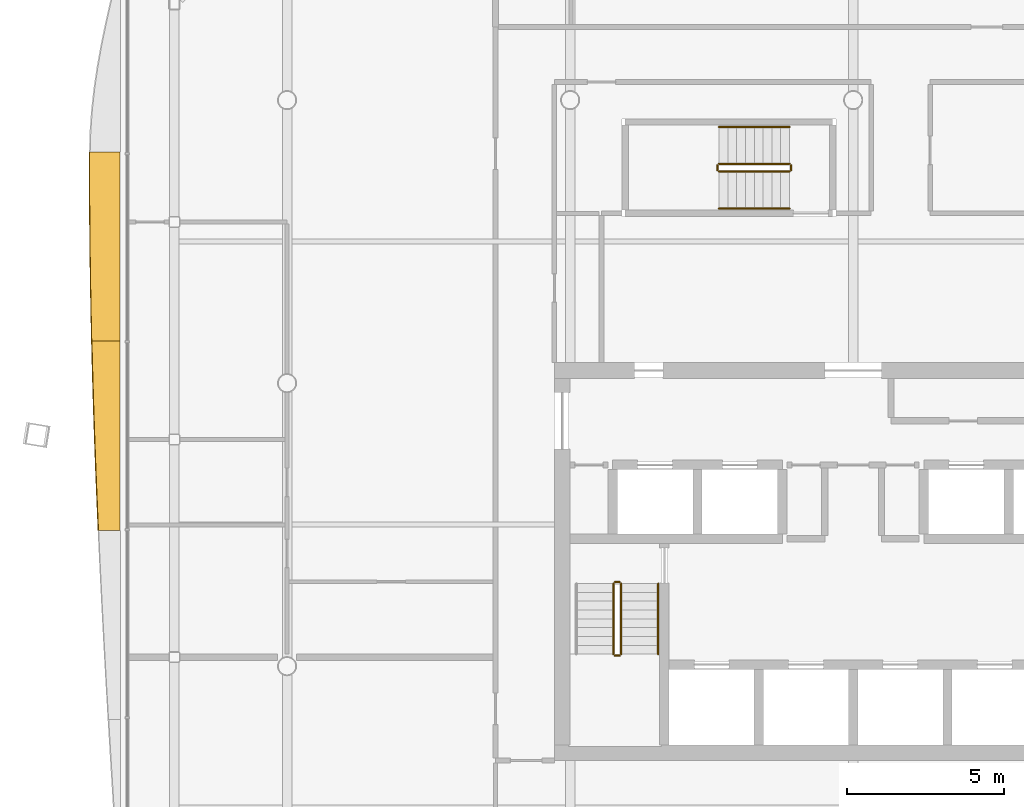
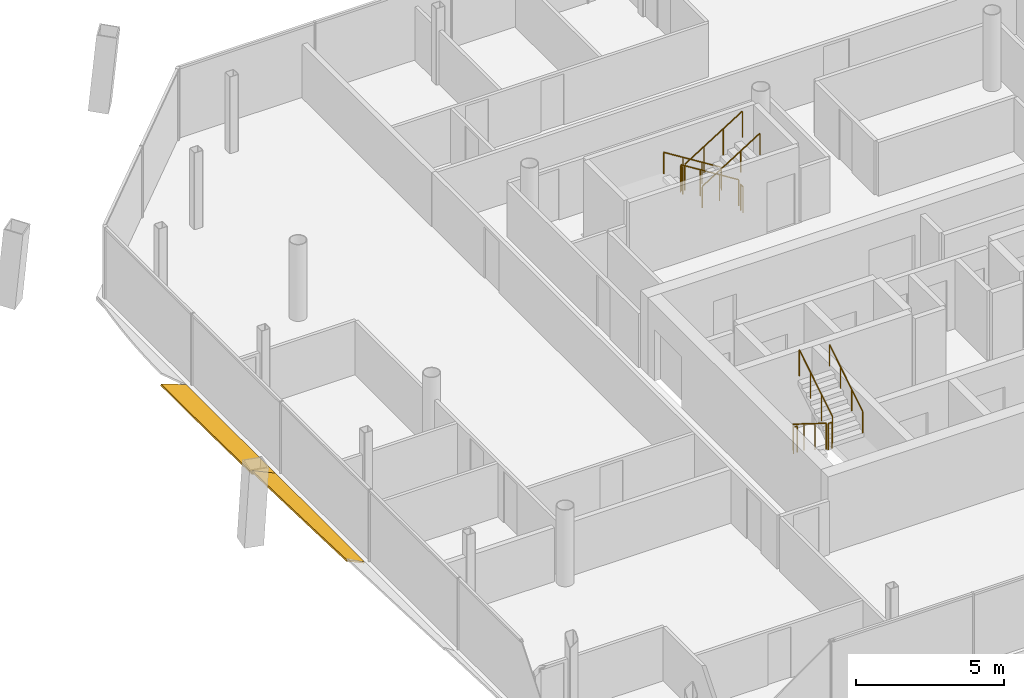
# One storey, part 18 of 20: 11 railings, 2 shading devices.
"""IFC4 building model written with IfcOpenShell, lengths in metres."""

from ifc_helpers import new_model, si_unit, direction, frame, origin, origin_2d, place, context, subcontext, project, spatial, polyline, circle, outline, extrude, material, layer, layer_set, type_object, element, save


model = new_model("IFC4")

# Units and contexts
model_context = context("Model", 3, precision=1e-05, world=origin(), true_north=direction((0.0, 1.0)))
body_context = subcontext(model_context, "Body", "Model", "MODEL_VIEW")
ifc_project = project(units=[si_unit("LENGTHUNIT", "METRE"), si_unit("AREAUNIT", "SQUARE_METRE"), si_unit("VOLUMEUNIT", "CUBIC_METRE"), si_unit("PLANEANGLEUNIT", "RADIAN"), si_unit("MASSUNIT", "GRAM", prefix="KILO")], contexts=[model_context])

# Site, building, storey
site_placement = place(None, origin())
site = spatial("IfcSite", under=ifc_project, at=site_placement, CompositionType="ELEMENT")
building_placement = place(site_placement, origin())
building = spatial("IfcBuilding", under=site, at=building_placement, Name="Tskaro Facet Tower", CompositionType="ELEMENT")
storey_placement = place(building_placement, frame((0.0, 0.0, 194.25)))
storey = spatial("IfcBuildingStorey", under=building, at=storey_placement, Name="L49", CompositionType="ELEMENT", Elevation=194.25)

# Shading devices
ifc_material_1 = material(Name="Bronze anodised aluminium 6063-T6", Category="aluminium")
ifc_layer = layer(ifc_material_1, 0.06005859375, Name="Bronze anodised aluminium 6063-T6")
ifc_layer_set = layer_set([ifc_layer], Name="Bronze anodised aluminium 6063-T6")
shading_device_type = type_object("IfcShadingDeviceType", Name="Bronze sun blade (FN1)", PredefinedType="USERDEFINED", material=ifc_layer_set)
shading_device_1_placement = place(storey_placement, frame((-23.3095703125, 7.354736328125, 0.056396484375), z_axis=(0.34205467251, -4.464e-06, 0.939680052462), x_axis=(-1.526932e-06, -0.99999999999, -4.194732e-06)))
element("IfcShadingDevice", 1, at=shading_device_1_placement, inside=storey, type_object=shading_device_type, Name="Fin blade west 2", ObjectType="FIN", PredefinedType="USERDEFINED", context=body_context, shape_type="SweptSolid", body=[
    extrude(outline(polyline([(0.0, 0.0), (6.019042968690028, 0.0), (6.019042968988683, -0.9566052769447957), (5.350341796678685, -0.9727496667692598), (4.68164062445871, -0.9868082156666469), (4.012695312449336, -0.9992397517875776), (3.343994140782196, -1.0093560329061209), (2.6750488283015508, -1.0179288106897395), (2.006347656163141, -1.0241863334709704), (1.3376464844875413, -1.028587429400435), (0.6687011716256502, -1.031215607919664), (0.18041992237608764, -1.0316744360702848), (3.5845063138585e-11, -1.0306732703275119), (0.0, 0.0)])), origin(), (0.0, 0.0, -1.0), 0.06005859375),
])
shading_device_2_placement = place(storey_placement, frame((-23.3046875, 1.335693359375, 0.054443359375), z_axis=(0.422585204806, -7.734704e-06, 0.906323200972), x_axis=(-3.268572e-06, -0.99999999997, -7.010142e-06)))
element("IfcShadingDevice", 2, at=shading_device_2_placement, inside=storey, type_object=shading_device_type, Name="Fin blade west 3", ObjectType="FIN", PredefinedType="USERDEFINED", context=body_context, shape_type="SweptSolid", body=[
    extrude(outline(polyline([(0.0, 0.0), (6.019287109194946, 0.0), (6.019287109526442, -0.760963807999818), (5.350585937588594, -0.7932937776262043), (4.6816406253721885, -0.8239866147280674), (4.01293945241575, -0.8531454895214272), (3.343994140892212, -0.8805640615742435), (2.6752929686286415, -0.9064486713185566), (2.006591796711506, -0.9306961485383464), (1.337646484631291, -0.952760782392105), (0.6689453118110424, -0.9732914539373604), (-3.742946775549506e-10, -0.9918605524293285), (0.0, 0.0)])), origin(), (0.0, 0.0, -1.0), 0.06005859375),
])

# Railings
ifc_material_2 = material(Name="Stainless steel", Category="steel")
railing_type_1 = type_object("IfcRailingType", Name="RL-GUARD-1100", PredefinedType="GUARDRAIL", material=ifc_material_2)
railing_1_placement = place(storey_placement, frame((-7.625, -6.375, 0.175048828125)))
element("IfcRailing", 3, at=railing_1_placement, inside=storey, type_object=railing_type_1, Name="L49 ST-1 stair guard 1", PredefinedType="GUARDRAIL", context=body_context, shape_type="SweptSolid", body=[
    extrude(circle(Radius=0.02392578125, at=origin_2d()), frame((0.0, 0.0, 1.076171875), z_axis=(0.0, -0.848013881152, 0.529974015752), x_axis=(1.0, 0.0, 0.0)), (0.0, 0.0, 1.0), 2.641357421875),
    extrude(circle(Radius=0.02099609375, at=origin_2d()), origin(), (0.0, 0.0, 1.0), 1.052001953125),
    extrude(circle(Radius=0.02099609375, at=origin_2d()), frame((0.0, -0.74658203125, 0.466552734375)), (0.0, 0.0, 1.0), 1.052001953125),
    extrude(circle(Radius=0.02099609375, at=origin_2d()), frame((0.0, -1.493408203125, 0.933349609375)), (0.0, 0.0, 1.0), 1.052001953125),
    extrude(circle(Radius=0.02099609375, at=origin_2d()), frame((0.0, -2.239990234375, 1.39990234375)), (0.0, 0.0, 1.0), 1.052001953125),
])
railing_2_placement = place(storey_placement, frame((-7.574951171875, -8.6650390625, 1.574951171875)))
element("IfcRailing", 4, at=railing_2_placement, inside=storey, type_object=railing_type_1, Name="L49 ST-1 stair guard 2", PredefinedType="GUARDRAIL", context=body_context, shape_type="SweptSolid", body=[
    extrude(circle(Radius=0.02392578125, at=origin_2d()), frame((0.0, 0.0, 1.076171875), z_axis=(1.0, 0.0, 0.0), x_axis=(0.0, 1.0, 0.0)), (0.0, 0.0, 1.0), 0.14990234375),
    extrude(circle(Radius=0.02099609375, at=origin_2d()), origin(), (0.0, 0.0, 1.0), 1.052001953125),
    extrude(circle(Radius=0.02099609375, at=origin_2d()), frame((0.14990234375, 0.0, 0.0)), (0.0, 0.0, 1.0), 1.052001953125),
])
railing_3_placement = place(storey_placement, frame((-7.375, -8.614990234375, 1.75)))
element("IfcRailing", 5, at=railing_3_placement, inside=storey, type_object=railing_type_1, Name="L49 ST-1 stair guard 3", PredefinedType="GUARDRAIL", context=body_context, shape_type="SweptSolid", body=[
    extrude(circle(Radius=0.02392578125, at=origin_2d()), frame((0.0, 0.0, 1.076171875), z_axis=(0.0, 0.848013881152, 0.529974015752), x_axis=(-1.0, 0.0, 0.0)), (0.0, 0.0, 1.0), 2.641357421875),
    extrude(circle(Radius=0.02099609375, at=origin_2d()), origin(), (0.0, 0.0, 1.0), 1.052001953125),
    extrude(circle(Radius=0.02099609375, at=origin_2d()), frame((0.0, 0.74658203125, 0.466552734375)), (0.0, 0.0, 1.0), 1.052001953125),
    extrude(circle(Radius=0.02099609375, at=origin_2d()), frame((0.0, 1.493408203125, 0.933349609375)), (0.0, 0.0, 1.0), 1.052001953125),
    extrude(circle(Radius=0.02099609375, at=origin_2d()), frame((0.0, 2.239990234375, 1.39990234375)), (0.0, 0.0, 1.0), 1.052001953125),
])
railing_4_placement = place(storey_placement, frame((-7.574951171875, -6.324951171875, 0.0)))
element("IfcRailing", 6, at=railing_4_placement, inside=storey, type_object=railing_type_1, Name="L49 ST-1 stair guard 4", PredefinedType="GUARDRAIL", context=body_context, shape_type="SweptSolid", body=[
    extrude(circle(Radius=0.02392578125, at=origin_2d()), frame((0.0, 0.0, 1.076171875), z_axis=(1.0, 0.0, 0.0), x_axis=(0.0, 1.0, 0.0)), (0.0, 0.0, 1.0), 0.14990234375),
    extrude(circle(Radius=0.02099609375, at=origin_2d()), origin(), (0.0, 0.0, 1.0), 1.052001953125),
    extrude(circle(Radius=0.02099609375, at=origin_2d()), frame((0.14990234375, 0.0, 0.0)), (0.0, 0.0, 1.0), 1.052001953125),
])
railing_5_placement = place(storey_placement, frame((-2.02490234375, 6.97509765625, 0.175048828125)))
element("IfcRailing", 7, at=railing_5_placement, inside=storey, type_object=railing_type_1, Name="L49 ST-3 stair guard 1", PredefinedType="GUARDRAIL", context=body_context, shape_type="SweptSolid", body=[
    extrude(circle(Radius=0.02392578125, at=origin_2d()), frame((0.0, 0.0, 1.076171875), z_axis=(-0.848013881152, 0.0, 0.529974015752), x_axis=(0.0, -1.0, 0.0)), (0.0, 0.0, 1.0), 2.641357421875),
    extrude(circle(Radius=0.02099609375, at=origin_2d()), origin(), (0.0, 0.0, 1.0), 1.052001953125),
    extrude(circle(Radius=0.02099609375, at=origin_2d()), frame((-0.74658203125, 0.0, 0.466552734375)), (0.0, 0.0, 1.0), 1.052001953125),
    extrude(circle(Radius=0.02099609375, at=origin_2d()), frame((-1.493408203125, 0.0, 0.933349609375)), (0.0, 0.0, 1.0), 1.052001953125),
    extrude(circle(Radius=0.02099609375, at=origin_2d()), frame((-2.239990234375, 0.0, 1.39990234375)), (0.0, 0.0, 1.0), 1.052001953125),
])
railing_6_placement = place(storey_placement, frame((-4.31494140625, 6.925048828125, 1.574951171875)))
element("IfcRailing", 8, at=railing_6_placement, inside=storey, type_object=railing_type_1, Name="L49 ST-3 stair guard 2", PredefinedType="GUARDRAIL", context=body_context, shape_type="SweptSolid", body=[
    extrude(circle(Radius=0.02392578125, at=origin_2d()), frame((0.0, 0.0, 1.076171875), z_axis=(0.0, -1.0, 0.0), x_axis=(1.0, 0.0, 0.0)), (0.0, 0.0, 1.0), 0.150146484375),
    extrude(circle(Radius=0.02099609375, at=origin_2d()), origin(), (0.0, 0.0, 1.0), 1.052001953125),
    extrude(circle(Radius=0.02099609375, at=origin_2d()), frame((0.0, -0.150146484375, 0.0)), (0.0, 0.0, 1.0), 1.052001953125),
])
railing_7_placement = place(storey_placement, frame((-4.264892578125, 6.72509765625, 1.75)))
element("IfcRailing", 9, at=railing_7_placement, inside=storey, type_object=railing_type_1, Name="L49 ST-3 stair guard 3", PredefinedType="GUARDRAIL", context=body_context, shape_type="SweptSolid", body=[
    extrude(circle(Radius=0.02392578125, at=origin_2d()), frame((0.0, 0.0, 1.076171875), z_axis=(0.848013881152, 0.0, 0.529974015752), x_axis=(0.0, 1.0, 0.0)), (0.0, 0.0, 1.0), 2.641357421875),
    extrude(circle(Radius=0.02099609375, at=origin_2d()), origin(), (0.0, 0.0, 1.0), 1.052001953125),
    extrude(circle(Radius=0.02099609375, at=origin_2d()), frame((0.74658203125, 0.0, 0.466552734375)), (0.0, 0.0, 1.0), 1.052001953125),
    extrude(circle(Radius=0.02099609375, at=origin_2d()), frame((1.493408203125, 0.0, 0.933349609375)), (0.0, 0.0, 1.0), 1.052001953125),
    extrude(circle(Radius=0.02099609375, at=origin_2d()), frame((2.239990234375, 0.0, 1.39990234375)), (0.0, 0.0, 1.0), 1.052001953125),
])
railing_8_placement = place(storey_placement, frame((-1.97509765625, 6.925048828125, 0.0)))
element("IfcRailing", 10, at=railing_8_placement, inside=storey, type_object=railing_type_1, Name="L49 ST-3 stair guard 4", PredefinedType="GUARDRAIL", context=body_context, shape_type="SweptSolid", body=[
    extrude(circle(Radius=0.02392578125, at=origin_2d()), frame((0.0, 0.0, 1.076171875), z_axis=(0.0, -1.0, 0.0), x_axis=(1.0, 0.0, 0.0)), (0.0, 0.0, 1.0), 0.150146484375),
    extrude(circle(Radius=0.02099609375, at=origin_2d()), origin(), (0.0, 0.0, 1.0), 1.052001953125),
    extrude(circle(Radius=0.02099609375, at=origin_2d()), frame((0.0, -0.150146484375, 0.0)), (0.0, 0.0, 1.0), 1.052001953125),
])
railing_type_2 = type_object("IfcRailingType", Name="RL-HANDRAIL-900", PredefinedType="HANDRAIL", material=ifc_material_2)
railing_9_placement = place(storey_placement, frame((-6.199951171875, -8.614990234375, 1.75)))
element("IfcRailing", 11, at=railing_9_placement, inside=storey, type_object=railing_type_2, Name="L49 ST-1 stair handrail 2", PredefinedType="HANDRAIL", context=body_context, shape_type="SweptSolid", body=[
    extrude(circle(Radius=0.02392578125, at=origin_2d()), frame((0.0, 0.0, 0.8759765625), z_axis=(0.0, 0.848013881152, 0.529974015752), x_axis=(-1.0, 0.0, 0.0)), (0.0, 0.0, 1.0), 2.641357421875),
    extrude(circle(Radius=0.02099609375, at=origin_2d()), origin(), (0.0, 0.0, 1.0), 0.851806640625),
    extrude(circle(Radius=0.02099609375, at=origin_2d()), frame((0.0, 0.74658203125, 0.466552734375)), (0.0, 0.0, 1.0), 0.851806640625),
    extrude(circle(Radius=0.02099609375, at=origin_2d()), frame((0.0, 1.493408203125, 0.933349609375)), (0.0, 0.0, 1.0), 0.851806640625),
    extrude(circle(Radius=0.02099609375, at=origin_2d()), frame((0.0, 2.239990234375, 1.39990234375)), (0.0, 0.0, 1.0), 0.851806640625),
])
railing_10_placement = place(storey_placement, frame((-2.02490234375, 8.14990234375, 0.175048828125)))
element("IfcRailing", 12, at=railing_10_placement, inside=storey, type_object=railing_type_2, Name="L49 ST-3 stair handrail 1", PredefinedType="HANDRAIL", context=body_context, shape_type="SweptSolid", body=[
    extrude(circle(Radius=0.02392578125, at=origin_2d()), frame((0.0, 0.0, 0.8759765625), z_axis=(-0.848013881152, 0.0, 0.529974015752), x_axis=(0.0, -1.0, 0.0)), (0.0, 0.0, 1.0), 2.641357421875),
    extrude(circle(Radius=0.02099609375, at=origin_2d()), origin(), (0.0, 0.0, 1.0), 0.851806640625),
    extrude(circle(Radius=0.02099609375, at=origin_2d()), frame((-0.74658203125, 0.0, 0.466552734375)), (0.0, 0.0, 1.0), 0.851806640625),
    extrude(circle(Radius=0.02099609375, at=origin_2d()), frame((-1.493408203125, 0.0, 0.933349609375)), (0.0, 0.0, 1.0), 0.851806640625),
    extrude(circle(Radius=0.02099609375, at=origin_2d()), frame((-2.239990234375, 0.0, 1.39990234375)), (0.0, 0.0, 1.0), 0.851806640625),
])
railing_11_placement = place(storey_placement, frame((-4.264892578125, 5.550048828125, 1.75)))
element("IfcRailing", 13, at=railing_11_placement, inside=storey, type_object=railing_type_2, Name="L49 ST-3 stair handrail 2", PredefinedType="HANDRAIL", context=body_context, shape_type="SweptSolid", body=[
    extrude(circle(Radius=0.02392578125, at=origin_2d()), frame((0.0, 0.0, 0.8759765625), z_axis=(0.848013881152, 0.0, 0.529974015752), x_axis=(0.0, 1.0, 0.0)), (0.0, 0.0, 1.0), 2.641357421875),
    extrude(circle(Radius=0.02099609375, at=origin_2d()), origin(), (0.0, 0.0, 1.0), 0.851806640625),
    extrude(circle(Radius=0.02099609375, at=origin_2d()), frame((0.74658203125, 0.0, 0.466552734375)), (0.0, 0.0, 1.0), 0.851806640625),
    extrude(circle(Radius=0.02099609375, at=origin_2d()), frame((1.493408203125, 0.0, 0.933349609375)), (0.0, 0.0, 1.0), 0.851806640625),
    extrude(circle(Radius=0.02099609375, at=origin_2d()), frame((2.239990234375, 0.0, 1.39990234375)), (0.0, 0.0, 1.0), 0.851806640625),
])

save(model, "model.ifc")
